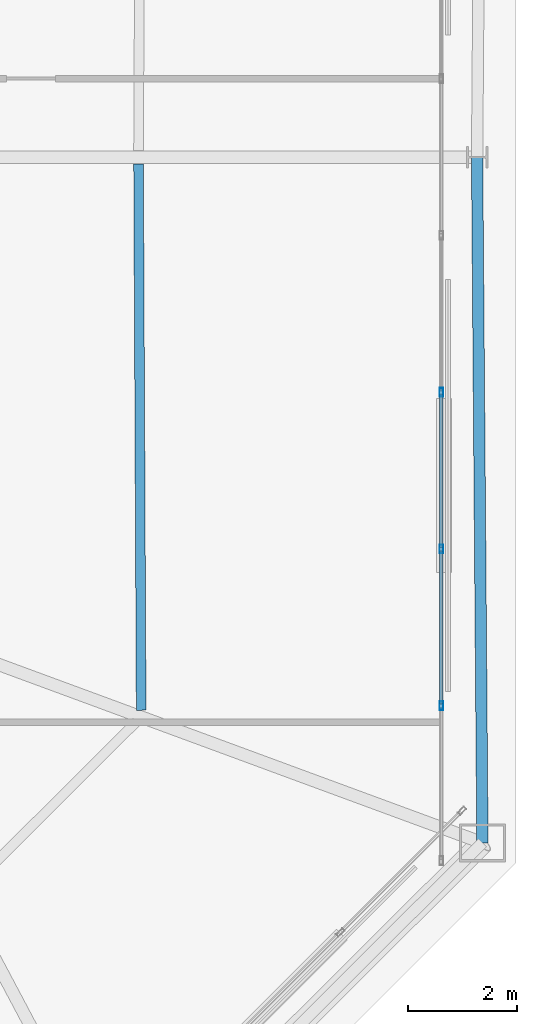
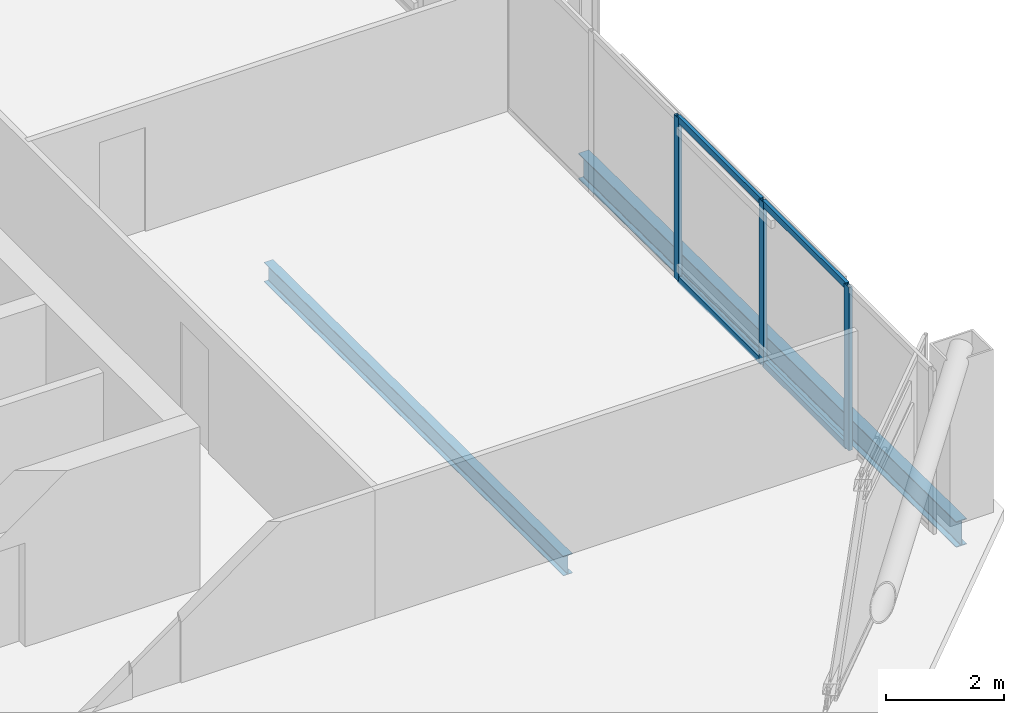
# One storey, part 21 of 39: 7 members, 2 beams, 1 element without a shape of its own.
"""IFC4 building model written with IfcOpenShell, lengths in metres."""

import ifcopenshell
import ifcopenshell.guid

model = None  # the IFC model being written
_history = None  # IfcOwnerHistory: only IFC2X3 demands one
_inside = {}  # id of a spatial element -> (the spatial element, [elements in it])
_under = {}  # id of a project, library or spatial element -> (it, [spatial elements below it])
_declared = {}  # id of a project -> (the project, [libraries it declares])
_typed = {}  # id of a type object -> (the type object, [elements of that type])
_made_of = {}  # id of a material, layer set ... -> (it, [elements and type objects made of it])


def new_model(schema):
    """Start an empty IFC model of exactly this schema.

    Asked for "IFC4X3", IfcOpenShell would pick the latest addendum, in which some entities
    have other attributes; the version numbers below select the first issue.
    IFC2X3 requires an IfcOwnerHistory on every rooted entity: one is made here for all.
    """
    global model, _history
    if schema == "IFC4X3":
        model = ifcopenshell.file(schema_version=(4, 3, 0, 0))
    else:
        model = ifcopenshell.file(schema=schema)
    _inside.clear()
    _under.clear()
    _declared.clear()
    _typed.clear()
    _made_of.clear()
    _history = None
    if model.schema == "IFC2X3":
        org = make("IfcOrganization", Name="unknown")
        user = make(
            "IfcPersonAndOrganization",
            ThePerson=make("IfcPerson", FamilyName="unknown"),
            TheOrganization=org,
        )
        app = make(
            "IfcApplication",
            ApplicationDeveloper=org,
            Version="unknown",
            ApplicationFullName="unknown",
            ApplicationIdentifier="unknown",
        )
        _history = make(
            "IfcOwnerHistory",
            OwningUser=user,
            OwningApplication=app,
            ChangeAction="ADDED",
            CreationDate=0,
        )
    return model


def make(cls, **values):
    """One entity of the class cls with the attributes given. An attribute that is None is left unset."""
    return model.create_entity(
        cls, **{name: value for name, value in values.items() if value is not None}
    )


def rooted(cls, **values):
    """An entity with a GlobalId (a new one), such as an element, a storey or a relation."""
    return make(cls, GlobalId=ifcopenshell.guid.new(), OwnerHistory=_history, **values)


def si_unit(unit_type, name, prefix=None):
    """IfcSIUnit, for example si_unit("LENGTHUNIT", "METRE", prefix="MILLI")."""
    return make("IfcSIUnit", UnitType=unit_type, Prefix=prefix, Name=name)


def assignment(units):
    """IfcUnitAssignment: the units of a project."""
    return None if units is None else make("IfcUnitAssignment", Units=units)


def point(xyz):
    """IfcCartesianPoint."""
    return None if xyz is None else make("IfcCartesianPoint", Coordinates=xyz)


def direction(xyz):
    """IfcDirection."""
    return None if xyz is None else make("IfcDirection", DirectionRatios=xyz)


def frame(location, z_axis=None, x_axis=None):
    """IfcAxis2Placement3D, a coordinate frame: its origin and axes. An axis left out is left unset."""
    return make(
        "IfcAxis2Placement3D",
        Location=point(location),
        Axis=direction(z_axis),
        RefDirection=direction(x_axis),
    )


def frame_2d(location, x_axis=None):
    """IfcAxis2Placement2D, a coordinate frame in the plane: its origin and x axis."""
    return make(
        "IfcAxis2Placement2D", Location=point(location), RefDirection=direction(x_axis)
    )


def origin():
    """The frame at (0, 0, 0) with its axes left unset."""
    return frame((0.0, 0.0, 0.0))


def origin_2d():
    """The frame at (0, 0) in the plane with its x axis left unset."""
    return frame_2d((0.0, 0.0))


def place(relative_to, where):
    """IfcLocalPlacement: puts the frame where relative to a parent placement (None: the world)."""
    return make(
        "IfcLocalPlacement", PlacementRelTo=relative_to, RelativePlacement=where
    )


def context(
    kind, dimensions, precision=None, world=None, true_north=None, identifier=None
):
    """IfcGeometricRepresentationContext, for example the 3D "Model" context."""
    return make(
        "IfcGeometricRepresentationContext",
        ContextIdentifier=identifier,
        ContextType=kind,
        CoordinateSpaceDimension=dimensions,
        Precision=precision,
        WorldCoordinateSystem=world,
        TrueNorth=true_north,
    )


def subcontext(parent, identifier, kind, view, scale=None):
    """IfcGeometricRepresentationSubContext, for example "Body" below "Model"."""
    return make(
        "IfcGeometricRepresentationSubContext",
        ContextIdentifier=identifier,
        ContextType=kind,
        ParentContext=parent,
        TargetScale=scale,
        TargetView=view,
    )


def project(units=None, contexts=None):
    """IfcProject with its units and contexts."""
    return rooted(
        "IfcProject",
        Name="project",
        RepresentationContexts=contexts,
        UnitsInContext=assignment(units),
    )


def spatial(cls, under=None, at=None, **own):
    """A site, building, storey or space (cls), placed at a placement, below another one or the project."""
    s = rooted(cls, ObjectPlacement=at, **own)
    if under is not None:
        _under.setdefault(under.id(), (under, []))[1].append(s)
    return s


def profile(cls, at=None, kind="AREA", **sizes):
    """A parametric profile (cls). Its sizes go by their IFC names, for example OverallWidth=200.0."""
    return make(cls, ProfileType=kind, Position=at, **sizes)


def hollow_rectangle(**sizes):
    """IfcRectangleHollowProfileDef."""
    return profile("IfcRectangleHollowProfileDef", **sizes)


def i_section(**sizes):
    """IfcIShapeProfileDef."""
    return profile("IfcIShapeProfileDef", **sizes)


def extrude(swept, where, along, depth):
    """IfcExtrudedAreaSolid: the profile swept, set in the frame where, extruded along a direction by depth."""
    return make(
        "IfcExtrudedAreaSolid",
        SweptArea=swept,
        Position=where,
        ExtrudedDirection=direction(along),
        Depth=depth,
    )


def shape(context_of_items, identifier, shape_type, items):
    """IfcShapeRepresentation: the items that make up one representation, for example the "Body"."""
    return make(
        "IfcShapeRepresentation",
        ContextOfItems=context_of_items,
        RepresentationIdentifier=identifier,
        RepresentationType=shape_type,
        Items=items,
    )


def material(Name=None, Category=None):
    """IfcMaterial."""
    return make("IfcMaterial", Name=Name, Category=Category)


def layer(
    of_material, thickness, ventilated=None, Name=None, Category=None, Priority=None
):
    """IfcMaterialLayer: one layer of a wall or slab, of a material (None: an air gap)."""
    return make(
        "IfcMaterialLayer",
        Material=of_material,
        LayerThickness=thickness,
        IsVentilated=ventilated,
        Name=Name,
        Category=Category,
        Priority=Priority,
    )


def layer_set(layers, Name=None):
    """IfcMaterialLayerSet."""
    return make("IfcMaterialLayerSet", MaterialLayers=layers, LayerSetName=Name)


def material_profile(
    of_material, cross_section, Name=None, Category=None, Priority=None
):
    """IfcMaterialProfile: a cross section and its material."""
    return make(
        "IfcMaterialProfile",
        Name=Name,
        Material=of_material,
        Profile=cross_section,
        Priority=Priority,
        Category=Category,
    )


def profile_set(profiles, Name=None, composite=None):
    """IfcMaterialProfileSet."""
    return make(
        "IfcMaterialProfileSet",
        Name=Name,
        MaterialProfiles=profiles,
        CompositeProfile=composite,
    )


def made_of(thing, what):
    """Note that an element or type object is made of a material, layer set ...; save() writes the relation."""
    if what is not None:
        _made_of.setdefault(what.id(), (what, []))[1].append(thing)
    return thing


def type_object(cls, material=None, **own):
    """A type object (cls), such as IfcWallType, which elements share."""
    return made_of(rooted(cls, **own), material)


def element(
    cls,
    number,
    at=None,
    inside=None,
    cuts=None,
    type_object=None,
    material=None,
    context=None,
    identifier="Body",
    shape_type=None,
    held_by="IfcProductDefinitionShape",
    body=None,
    shapes=None,
    **own,
):
    """One element of the class cls, such as IfcWall. Its Tag is "e" and its number.

    at: its placement. inside: the storey or other place that contains it. cuts: it is an
    opening in that element (IfcRelVoidsElement). A single representation is given by context,
    identifier, shape_type and body (its items); several are given by shapes. held_by: the class
    of the entity that holds the representations. save() writes the other relations.
    """
    e = rooted(cls, Tag="e%d" % number, ObjectPlacement=at, **own)
    if body is not None:
        shapes = [shape(context, identifier, shape_type, body)]
    if shapes is not None:
        e.Representation = make(held_by, Representations=shapes)
    if inside is not None:
        _inside.setdefault(inside.id(), (inside, []))[1].append(e)
    if cuts is not None:
        rooted(
            "IfcRelVoidsElement", RelatingBuildingElement=cuts, RelatedOpeningElement=e
        )
    if type_object is not None:
        _typed.setdefault(type_object.id(), (type_object, []))[1].append(e)
    return made_of(e, material)


def aggregate(whole, parts):
    """IfcRelAggregates: a whole, such as a stair, and the parts it consists of."""
    return rooted("IfcRelAggregates", RelatingObject=whole, RelatedObjects=parts)


def save(model, path):
    """Write the relations noted so far, then the file.

    IfcRelAggregates (storeys below a building ...), IfcRelContainedInSpatialStructure (elements
    in a storey), IfcRelDefinesByType, IfcRelAssociatesMaterial and IfcRelDeclares: one each for
    every whole, place, type object, material and project.
    """
    for whole, parts in _under.values():
        aggregate(whole, parts)
    for where, things in _inside.values():
        rooted(
            "IfcRelContainedInSpatialStructure",
            RelatedElements=things,
            RelatingStructure=where,
        )
    for kind, things in _typed.values():
        rooted("IfcRelDefinesByType", RelatedObjects=things, RelatingType=kind)
    for what, things in _made_of.values():
        rooted("IfcRelAssociatesMaterial", RelatedObjects=things, RelatingMaterial=what)
    for by, libraries in _declared.values():
        rooted("IfcRelDeclares", RelatingContext=by, RelatedDefinitions=libraries)
    model.write(path)


model = new_model("IFC4")

# Units and contexts
model_context = context("Model", 3, precision=1e-05, world=origin(), true_north=direction((0.0, 1.0)))
body_context = subcontext(model_context, "Body", "Model", "MODEL_VIEW")
ifc_project = project(units=[si_unit("LENGTHUNIT", "METRE"), si_unit("AREAUNIT", "SQUARE_METRE"), si_unit("VOLUMEUNIT", "CUBIC_METRE"), si_unit("PLANEANGLEUNIT", "RADIAN"), si_unit("MASSUNIT", "GRAM", prefix="KILO")], contexts=[model_context])

# Site, building, storey
site_placement = place(None, origin())
site = spatial("IfcSite", under=ifc_project, at=site_placement, CompositionType="ELEMENT")
building_placement = place(site_placement, origin())
building = spatial("IfcBuilding", under=site, at=building_placement, Name="Caelvoria Tower", CompositionType="ELEMENT")
storey_placement = place(building_placement, frame((0.0, 0.0, 198.60009765625)))
storey = spatial("IfcBuildingStorey", under=building, at=storey_placement, Name="L52", CompositionType="ELEMENT", Elevation=198.60009765625)

# Curtain wall, members
ifc_material_1 = material(Name="Anodised Bronze Aluminium and Low-E Glass", Category="aluminium")
ifc_layer = layer(ifc_material_1, 0.175048828125, Name="Anodised Bronze Aluminium and Low-E Glass")
ifc_layer_set = layer_set([ifc_layer], Name="CW System 4 High-Zone Tapered Crystal Facade - Anodised Bronze Aluminium and Low-E Glass")
curtain_wall_type = type_object("IfcCurtainWallType", Name="CW System 4 High-Zone Tapered Crystal Facade", PredefinedType="NOTDEFINED", material=ifc_layer_set)
curtain_wall_placement = place(storey_placement, origin())
curtain_wall = element("IfcCurtainWall", 1, at=curtain_wall_placement, inside=storey, type_object=curtain_wall_type, Name="CW-04 Curtain Wall L52-E2", PredefinedType="NOTDEFINED")
ifc_material_2 = material(Name="Anodised Bronze Architectural Aluminium", Category="aluminium")
ifc_material_profile_1 = material_profile(ifc_material_2, hollow_rectangle(XDim=0.06494140625, YDim=0.159912109375, WallThickness=0.00390625, at=origin_2d()), Name="Anodised Bronze Architectural Aluminium")
ifc_profile_set_1 = profile_set([ifc_material_profile_1], Name="CW_MULL_65X160 - Anodised Bronze Architectural Aluminium")
member_type_1 = type_object("IfcMemberType", Name="Curtain Wall Mullion 65x160 Bronze Aluminium", PredefinedType="MULLION", material=ifc_profile_set_1)
member_1_placement = place(storey_placement, frame((66.820068359375, 21.888916015625, 0.0), z_axis=(0.0, 0.0, 1.0), x_axis=(-1.0, 0.0, 0.0)))
member_1 = element("IfcMember", 2, at=member_1_placement, type_object=member_type_1, Name="CW-04 mullion 2", PredefinedType="MULLION", context=body_context, shape_type="SweptSolid", body=[
    extrude(hollow_rectangle(XDim=0.06494140625, YDim=0.159912109375, WallThickness=0.00390625, at=origin_2d()), origin(), (0.0, 0.0, 1.0), 3.375),
])
member_2_placement = place(storey_placement, frame((66.820068359375, 24.77783203125, 0.0), z_axis=(0.0, 0.0, 1.0), x_axis=(-1.0, 0.0, 0.0)))
member_2 = element("IfcMember", 3, at=member_2_placement, type_object=member_type_1, Name="CW-04 mullion 3", PredefinedType="MULLION", context=body_context, shape_type="SweptSolid", body=[
    extrude(hollow_rectangle(XDim=0.06494140625, YDim=0.159912109375, WallThickness=0.00390625, at=origin_2d()), origin(), (0.0, 0.0, 1.0), 3.375),
])
member_3_placement = place(storey_placement, frame((66.820068359375, 27.666748046875, 0.0), z_axis=(0.0, 0.0, 1.0), x_axis=(-1.0, 0.0, 0.0)))
member_3 = element("IfcMember", 4, at=member_3_placement, type_object=member_type_1, Name="CW-04 mullion 4", PredefinedType="MULLION", context=body_context, shape_type="SweptSolid", body=[
    extrude(hollow_rectangle(XDim=0.06494140625, YDim=0.159912109375, WallThickness=0.00390625, at=origin_2d()), origin(), (0.0, 0.0, 1.0), 3.375),
])
ifc_material_profile_2 = material_profile(ifc_material_2, hollow_rectangle(XDim=0.06494140625, YDim=0.1298828125, WallThickness=0.00341796875, at=origin_2d()), Name="Anodised Bronze Architectural Aluminium")
ifc_profile_set_2 = profile_set([ifc_material_profile_2], Name="CW_TRAN_65X130 - Anodised Bronze Architectural Aluminium")
member_type_2 = type_object("IfcMemberType", Name="Curtain Wall Transom 65x130 Bronze Aluminium", PredefinedType="USERDEFINED", material=ifc_profile_set_2)
member_4_placement = place(storey_placement, frame((66.820068359375, 21.92138671875, 0.032470703125), z_axis=(0.0, 1.0, 0.0), x_axis=(-1.0, 0.0, 0.0)))
member_4 = element("IfcMember", 5, at=member_4_placement, type_object=member_type_2, Name="CW-04 transom 2.1", ObjectType="TRANSOM", PredefinedType="USERDEFINED", context=body_context, shape_type="SweptSolid", body=[
    extrude(hollow_rectangle(XDim=0.06494140625, YDim=0.1298828125, WallThickness=0.00341796875, at=origin_2d()), origin(), (0.0, 0.0, 1.0), 2.823974609375),
])
member_5_placement = place(storey_placement, frame((66.820068359375, 21.92138671875, 3.34228515625), z_axis=(0.0, 1.0, 0.0), x_axis=(-1.0, 0.0, 0.0)))
member_5 = element("IfcMember", 6, at=member_5_placement, type_object=member_type_2, Name="CW-04 transom 2.2", ObjectType="TRANSOM", PredefinedType="USERDEFINED", context=body_context, shape_type="SweptSolid", body=[
    extrude(hollow_rectangle(XDim=0.06494140625, YDim=0.1298828125, WallThickness=0.00341796875, at=origin_2d()), origin(), (0.0, 0.0, 1.0), 2.823974609375),
])
member_6_placement = place(storey_placement, frame((66.820068359375, 24.810302734375, 0.032470703125), z_axis=(0.0, 1.0, 0.0), x_axis=(-1.0, 0.0, 0.0)))
member_6 = element("IfcMember", 7, at=member_6_placement, type_object=member_type_2, Name="CW-04 transom 3.1", ObjectType="TRANSOM", PredefinedType="USERDEFINED", context=body_context, shape_type="SweptSolid", body=[
    extrude(hollow_rectangle(XDim=0.06494140625, YDim=0.1298828125, WallThickness=0.00341796875, at=origin_2d()), origin(), (0.0, 0.0, 1.0), 2.823974609375),
])
member_7_placement = place(storey_placement, frame((66.820068359375, 24.810302734375, 3.34228515625), z_axis=(0.0, 1.0, 0.0), x_axis=(-1.0, 0.0, 0.0)))
member_7 = element("IfcMember", 8, at=member_7_placement, type_object=member_type_2, Name="CW-04 transom 3.2", ObjectType="TRANSOM", PredefinedType="USERDEFINED", context=body_context, shape_type="SweptSolid", body=[
    extrude(hollow_rectangle(XDim=0.06494140625, YDim=0.1298828125, WallThickness=0.00341796875, at=origin_2d()), origin(), (0.0, 0.0, 1.0), 2.823974609375),
])
aggregate(curtain_wall, [member_1, member_2, member_3, member_4, member_5, member_6, member_7])

# Beams
ifc_material_3 = material(Name="Structural Steel ASTM A992 Gr.50", Category="steel")
ifc_material_profile_3 = material_profile(ifc_material_3, i_section(OverallWidth=0.177978515625, OverallDepth=0.406982421875, WebThickness=0.0078125, FlangeThickness=0.0126953125, FilletRadius=0.013916015625, at=origin_2d()), Name="Structural Steel ASTM A992 Gr.50")
ifc_profile_set_3 = profile_set([ifc_material_profile_3], Name="W410X60 - Structural Steel ASTM A992 Gr.50")
beam_type_1 = type_object("IfcBeamType", Name="Secondary Floor Beam W410X60", PredefinedType="BEAM", material=ifc_profile_set_3)
beam_1_placement = place(storey_placement, frame((61.288818359375, 21.806884765625, -0.4287109375), z_axis=(-0.004801225002, 0.999988474053, 0.0), x_axis=(-0.999988474053, -0.004801225002, 0.0)))
element("IfcBeam", 9, at=beam_1_placement, inside=storey, type_object=beam_type_1, Name="Secondary Floor Beam L52-03", PredefinedType="BEAM", context=body_context, shape_type="SweptSolid", body=[
    extrude(i_section(OverallWidth=0.177978515625, OverallDepth=0.406982421875, WebThickness=0.0078125, FlangeThickness=0.0126953125, FilletRadius=0.013916015625, at=origin_2d()), origin(), (0.0, 0.0, 1.0), 10.068115234375),
])
ifc_material_profile_4 = material_profile(ifc_material_3, i_section(OverallWidth=0.208984375, OverallDepth=0.532958984375, WebThickness=0.01025390625, FlangeThickness=0.015625, FilletRadius=0.01611328125, at=origin_2d()), Name="Structural Steel ASTM A992 Gr.50")
ifc_profile_set_4 = profile_set([ifc_material_profile_4], Name="W530X92 - Structural Steel ASTM A992 Gr.50")
beam_type_2 = type_object("IfcBeamType", Name="Upper Zone Spandrel W530X92", PredefinedType="BEAM", material=ifc_profile_set_4)
beam_2_placement = place(storey_placement, frame((67.57861328125, 19.36376953125, -0.49169921875), z_axis=(-0.007805318856, 0.999969538035, 0.0), x_axis=(-0.999969538035, -0.007805318856, 0.0)))
element("IfcBeam", 10, at=beam_2_placement, inside=storey, type_object=beam_type_2, Name="Perimeter Spandrel Girder L52-03", PredefinedType="BEAM", context=body_context, shape_type="SweptSolid", body=[
    extrude(i_section(OverallWidth=0.208984375, OverallDepth=0.532958984375, WebThickness=0.01025390625, FlangeThickness=0.015625, FilletRadius=0.01611328125, at=origin_2d()), origin(), (0.0, 0.0, 1.0), 12.63671875),
])

save(model, "model.ifc")
